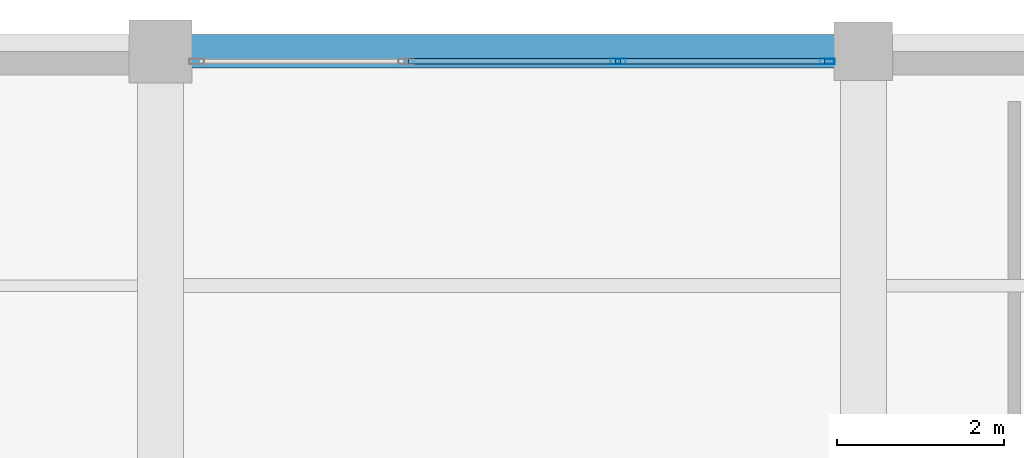
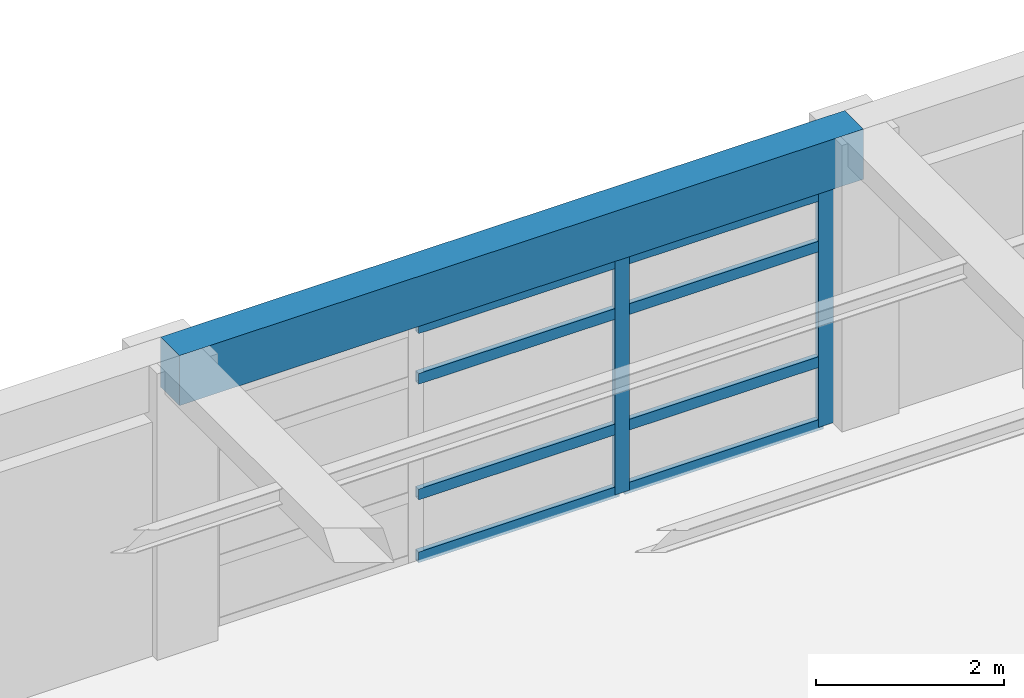
# One storey, part 19 of 26: 10 members, 1 beam, 1 element without a shape of its own.
"""IFC4 building model written with IfcOpenShell, lengths in metres."""

from ifc_helpers import new_model, si_unit, direction, frame, origin, origin_2d, place, context, subcontext, project, spatial, rectangle, hollow_rectangle, extrude, material, material_profile, profile_set, type_object, element, aggregate, save


model = new_model("IFC4")

# Units and contexts
model_context = context("Model", 3, precision=1e-05, world=origin(), true_north=direction((0.0, 1.0)))
body_context = subcontext(model_context, "Body", "Model", "MODEL_VIEW")
ifc_project = project(units=[si_unit("LENGTHUNIT", "METRE"), si_unit("AREAUNIT", "SQUARE_METRE"), si_unit("VOLUMEUNIT", "CUBIC_METRE"), si_unit("PLANEANGLEUNIT", "RADIAN"), si_unit("MASSUNIT", "GRAM", prefix="KILO")], contexts=[model_context])

# Site, building, storey
site_placement = place(None, origin())
site = spatial("IfcSite", under=ifc_project, at=site_placement, CompositionType="ELEMENT")
building_placement = place(site_placement, origin())
building = spatial("IfcBuilding", under=site, at=building_placement, Name="Almacenes y Pasaje Nevantli", CompositionType="ELEMENT")
storey_placement = place(building_placement, frame((0.0, 0.0, 38.699951171875)))
storey = spatial("IfcBuildingStorey", under=building, at=storey_placement, Name="L09", CompositionType="ELEMENT", Elevation=38.699951171875)

# Beam
ifc_material_1 = material(Name="Concrete C35/45", Category="concrete")
ifc_material_profile_1 = material_profile(ifc_material_1, rectangle(XDim=0.39990234375, YDim=0.64990234375, at=origin_2d()), Name="RC-BM-400x650")
ifc_profile_set_1 = profile_set([ifc_material_profile_1], Name="Concrete C35/45")
beam_type = type_object("IfcBeamType", Name="BM-RC-400x650", PredefinedType="SPANDREL", material=ifc_profile_set_1)
beam_placement = place(storey_placement, frame((134.39990234375, 100.800048828125, 3.39501953125), z_axis=(1.0, 0.0, 0.0), x_axis=(0.0, 1.0, 0.0)))
element("IfcBeam", 1, at=beam_placement, inside=storey, type_object=beam_type, Name="L09 East-West Reinforced Concrete Beam #3768", PredefinedType="SPANDREL", context=body_context, shape_type="SweptSolid", body=[
    extrude(rectangle(XDim=0.39990234375, YDim=0.64990234375, at=origin_2d()), origin(), (0.0, 0.0, 1.0), 8.400146484375),
])

# Curtain wall, members
ifc_material_2 = material(Name="Thermally Broken Aluminium and Low-E Glass", Category="aluminium")
curtain_wall_type = type_object("IfcCurtainWallType", Name="CW-UNIT-TOWER", PredefinedType="USERDEFINED", material=ifc_material_2)
curtain_wall_placement = place(storey_placement, origin())
curtain_wall = element("IfcCurtainWall", 2, at=curtain_wall_placement, inside=storey, type_object=curtain_wall_type, Name="L09 Tower North Boulevard Unitized Curtain Wall Bay 17", ObjectType="UNITIZED CURTAIN WALL", PredefinedType="USERDEFINED")
ifc_material_3 = material(Name="Thermally Broken Anodized Aluminium", Category="aluminium")
ifc_material_profile_2 = material_profile(ifc_material_3, hollow_rectangle(XDim=0.06494140625, YDim=0.179931640625, WallThickness=0.00390625, at=origin_2d()), Name="ALU-MUL-65x180")
ifc_profile_set_2 = profile_set([ifc_material_profile_2], Name="Thermally Broken Anodized Aluminium")
member_type_1 = type_object("IfcMemberType", Name="CW-MUL-200", PredefinedType="MULLION", material=ifc_profile_set_2)
member_1_placement = place(storey_placement, frame((139.86669921875, 100.679931640625, 0.0), z_axis=(0.0, 0.0, 1.0), x_axis=(0.0, 1.0, 0.0)))
member_1 = element("IfcMember", 3, at=member_1_placement, type_object=member_type_1, Name="CW-L09-134 mullion 3", PredefinedType="MULLION", context=body_context, shape_type="SweptSolid", body=[
    extrude(hollow_rectangle(XDim=0.06494140625, YDim=0.179931640625, WallThickness=0.00390625, at=origin_2d()), origin(), (0.0, 0.0, 1.0), 3.0400390625),
])
member_2_placement = place(storey_placement, frame((142.367431640625, 100.679931640625, 0.0), z_axis=(0.0, 0.0, 1.0), x_axis=(0.0, 1.0, 0.0)))
member_2 = element("IfcMember", 4, at=member_2_placement, type_object=member_type_1, Name="CW-L09-134 mullion 4", PredefinedType="MULLION", context=body_context, shape_type="SweptSolid", body=[
    extrude(hollow_rectangle(XDim=0.06494140625, YDim=0.179931640625, WallThickness=0.00390625, at=origin_2d()), origin(), (0.0, 0.0, 1.0), 3.0400390625),
])
ifc_material_4 = material(Name="Thermally Broken Anodized Aluminium", Category="aluminium")
ifc_material_profile_3 = material_profile(ifc_material_4, hollow_rectangle(XDim=0.06494140625, YDim=0.139892578125, WallThickness=0.00390625, at=origin_2d()), Name="ALU-TRN-65x140")
ifc_profile_set_3 = profile_set([ifc_material_profile_3], Name="Thermally Broken Anodized Aluminium")
member_type_2 = type_object("IfcMemberType", Name="CW-TRN-150", PredefinedType="USERDEFINED", material=ifc_profile_set_3)
member_3_placement = place(storey_placement, frame((137.36572265625, 100.679931640625, 0.032470703125), z_axis=(1.0, 0.0, 0.0), x_axis=(0.0, 1.0, 0.0)))
member_3 = element("IfcMember", 5, at=member_3_placement, type_object=member_type_2, Name="CW-L09-134 transom 2.1", ObjectType="TRANSOM", PredefinedType="USERDEFINED", context=body_context, shape_type="SweptSolid", body=[
    extrude(hollow_rectangle(XDim=0.06494140625, YDim=0.139892578125, WallThickness=0.00390625, at=origin_2d()), origin(), (0.0, 0.0, 1.0), 2.468505859375),
])
member_4_placement = place(storey_placement, frame((137.36572265625, 100.679931640625, 0.85009765625), z_axis=(1.0, 0.0, 0.0), x_axis=(0.0, 1.0, 0.0)))
member_4 = element("IfcMember", 6, at=member_4_placement, type_object=member_type_2, Name="CW-L09-134 transom 2.2", ObjectType="TRANSOM", PredefinedType="USERDEFINED", context=body_context, shape_type="SweptSolid", body=[
    extrude(hollow_rectangle(XDim=0.06494140625, YDim=0.139892578125, WallThickness=0.00390625, at=origin_2d()), origin(), (0.0, 0.0, 1.0), 2.468505859375),
])
member_5_placement = place(storey_placement, frame((137.36572265625, 100.679931640625, 2.35009765625), z_axis=(1.0, 0.0, 0.0), x_axis=(0.0, 1.0, 0.0)))
member_5 = element("IfcMember", 7, at=member_5_placement, type_object=member_type_2, Name="CW-L09-134 transom 2.3", ObjectType="TRANSOM", PredefinedType="USERDEFINED", context=body_context, shape_type="SweptSolid", body=[
    extrude(hollow_rectangle(XDim=0.06494140625, YDim=0.139892578125, WallThickness=0.00390625, at=origin_2d()), origin(), (0.0, 0.0, 1.0), 2.468505859375),
])
member_6_placement = place(storey_placement, frame((137.36572265625, 100.679931640625, 3.007568359375), z_axis=(1.0, 0.0, 0.0), x_axis=(0.0, 1.0, 0.0)))
member_6 = element("IfcMember", 8, at=member_6_placement, type_object=member_type_2, Name="CW-L09-134 transom 2.4", ObjectType="TRANSOM", PredefinedType="USERDEFINED", context=body_context, shape_type="SweptSolid", body=[
    extrude(hollow_rectangle(XDim=0.06494140625, YDim=0.139892578125, WallThickness=0.00390625, at=origin_2d()), origin(), (0.0, 0.0, 1.0), 2.468505859375),
])
member_7_placement = place(storey_placement, frame((139.899169921875, 100.679931640625, 0.032470703125), z_axis=(1.0, 0.0, 0.0), x_axis=(0.0, 1.0, 0.0)))
member_7 = element("IfcMember", 9, at=member_7_placement, type_object=member_type_2, Name="CW-L09-134 transom 3.1", ObjectType="TRANSOM", PredefinedType="USERDEFINED", context=body_context, shape_type="SweptSolid", body=[
    extrude(hollow_rectangle(XDim=0.06494140625, YDim=0.139892578125, WallThickness=0.00390625, at=origin_2d()), origin(), (0.0, 0.0, 1.0), 2.435791015625),
])
member_8_placement = place(storey_placement, frame((139.899169921875, 100.679931640625, 0.85009765625), z_axis=(1.0, 0.0, 0.0), x_axis=(0.0, 1.0, 0.0)))
member_8 = element("IfcMember", 10, at=member_8_placement, type_object=member_type_2, Name="CW-L09-134 transom 3.2", ObjectType="TRANSOM", PredefinedType="USERDEFINED", context=body_context, shape_type="SweptSolid", body=[
    extrude(hollow_rectangle(XDim=0.06494140625, YDim=0.139892578125, WallThickness=0.00390625, at=origin_2d()), origin(), (0.0, 0.0, 1.0), 2.435791015625),
])
member_9_placement = place(storey_placement, frame((139.899169921875, 100.679931640625, 2.35009765625), z_axis=(1.0, 0.0, 0.0), x_axis=(0.0, 1.0, 0.0)))
member_9 = element("IfcMember", 11, at=member_9_placement, type_object=member_type_2, Name="CW-L09-134 transom 3.3", ObjectType="TRANSOM", PredefinedType="USERDEFINED", context=body_context, shape_type="SweptSolid", body=[
    extrude(hollow_rectangle(XDim=0.06494140625, YDim=0.139892578125, WallThickness=0.00390625, at=origin_2d()), origin(), (0.0, 0.0, 1.0), 2.435791015625),
])
member_10_placement = place(storey_placement, frame((139.899169921875, 100.679931640625, 3.007568359375), z_axis=(1.0, 0.0, 0.0), x_axis=(0.0, 1.0, 0.0)))
member_10 = element("IfcMember", 12, at=member_10_placement, type_object=member_type_2, Name="CW-L09-134 transom 3.4", ObjectType="TRANSOM", PredefinedType="USERDEFINED", context=body_context, shape_type="SweptSolid", body=[
    extrude(hollow_rectangle(XDim=0.06494140625, YDim=0.139892578125, WallThickness=0.00390625, at=origin_2d()), origin(), (0.0, 0.0, 1.0), 2.435791015625),
])
aggregate(curtain_wall, [member_1, member_2, member_3, member_4, member_5, member_6, member_7, member_8, member_9, member_10])

save(model, "model.ifc")
